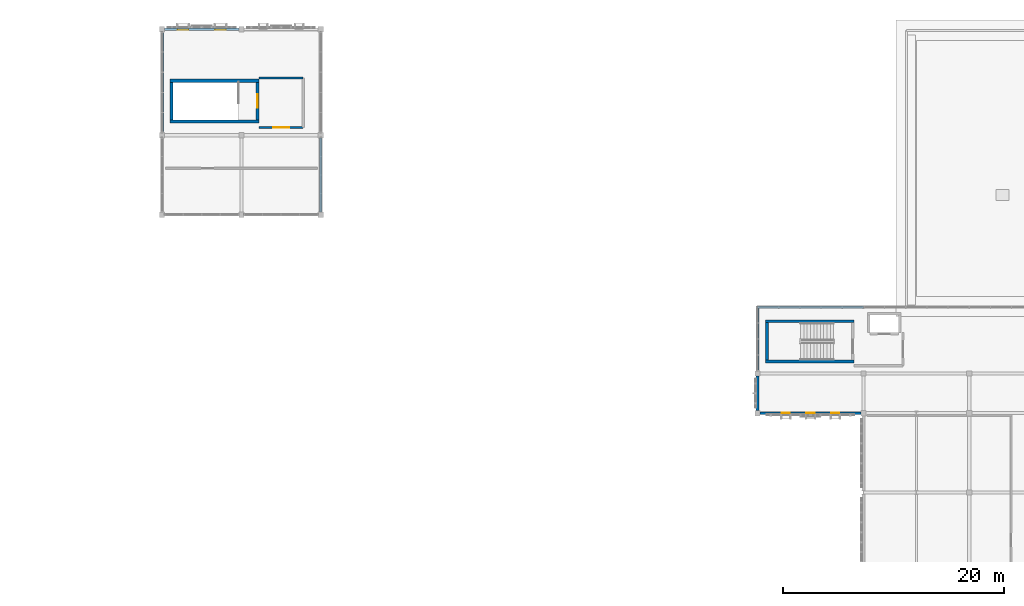
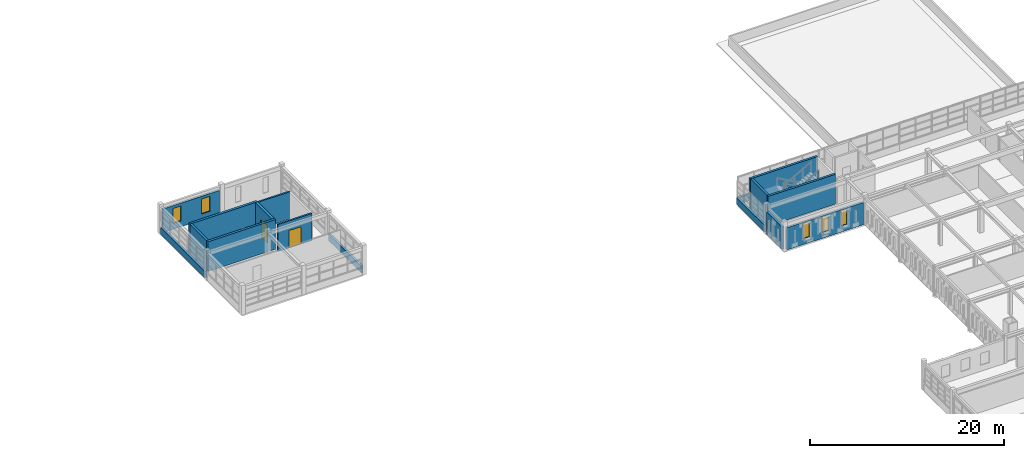
# One storey, part 28 of 53: 16 walls, 5 windows, 2 doors, 7 openings.
"""IFC4 building model written with IfcOpenShell, lengths in metres."""

from ifc_helpers import new_model, si_unit, direction, frame, frame_2d, origin, place, context, subcontext, project, spatial, rectangle, extrude, material, layer, layer_set, type_object, element, fill, save


model = new_model("IFC4")

# Units and contexts
model_context = context("Model", 3, precision=1e-05, world=origin(), true_north=direction((0.0, 1.0)))
body_context = subcontext(model_context, "Body", "Model", "MODEL_VIEW")
ifc_project = project(units=[si_unit("LENGTHUNIT", "METRE"), si_unit("AREAUNIT", "SQUARE_METRE"), si_unit("VOLUMEUNIT", "CUBIC_METRE"), si_unit("PLANEANGLEUNIT", "RADIAN"), si_unit("MASSUNIT", "GRAM", prefix="KILO")], contexts=[model_context])

# Site, building, storey
site_placement = place(None, origin())
site = spatial("IfcSite", under=ifc_project, at=site_placement, CompositionType="ELEMENT")
building_placement = place(site_placement, origin())
building = spatial("IfcBuilding", under=site, at=building_placement, Name="Nzembalo Square Collegiate School", CompositionType="ELEMENT")
storey_placement = place(building_placement, frame((0.0, 0.0, 13.60009765625)))
storey = spatial("IfcBuildingStorey", under=building, at=storey_placement, Name="L03", CompositionType="ELEMENT", Elevation=13.60009765625)

# Walls
ifc_material_1 = material(Name="Concrete C35/45", Category="concrete")
ifc_layer_1 = layer(ifc_material_1, 0.280029296875, Name="Concrete C35/45")
ifc_layer_set_1 = layer_set([ifc_layer_1], Name="Concrete C35/45")
wall_type_1 = type_object("IfcWallType", Name="SW03", PredefinedType="SHEAR", material=ifc_layer_set_1)
wall_1_placement = place(storey_placement, frame((77.659912109375, 105.800048828125, 0.0), z_axis=(0.0, 0.0, 1.0), x_axis=(0.0, 1.0, 0.0)))
element("IfcWall", 1, at=wall_1_placement, inside=storey, type_object=wall_type_1, Name="Core C3 stair shear wall W L03", PredefinedType="SHEAR", context=body_context, shape_type="SweptSolid", body=[
    extrude(rectangle(XDim=3.39990234375, YDim=0.280029296875, at=frame_2d((1.699951171875, 0.0))), origin(), (0.0, 0.0, 1.0), 3.739990234375),
])
for number, where, z_axis, x_axis, name in (
    (2, (77.52001953125, 105.659912109375, 0.0), (0.0, 0.0, 1.0), (1.0, 0.0, 0.0), "Core C3 stair shear wall S L03"),
    (3, (77.52001953125, 109.340087890625, 0.0), (0.0, 0.0, 1.0), (1.0, 0.0, 0.0), "Core C3 stair shear wall N L03"),
):
    element("IfcWall", number, at=place(storey_placement, frame(where, z_axis=z_axis, x_axis=x_axis)), inside=storey, type_object=wall_type_1, Name=name, PredefinedType="SHEAR", context=body_context, shape_type="SweptSolid", body=[
        extrude(rectangle(XDim=8.06005859375, YDim=0.280029296875, at=frame_2d((4.030029296875, 0.0))), origin(), (0.0, 0.0, 1.0), 3.739990234375),
    ])

# Wall, opening, door
wall_2_placement = place(storey_placement, frame((85.43994140625, 105.800048828125, 0.0), z_axis=(0.0, 0.0, 1.0), x_axis=(0.0, 1.0, 0.0)))
wall_2 = element("IfcWall", 4, at=wall_2_placement, inside=storey, type_object=wall_type_1, Name="Core C3 stair shear wall E L03", PredefinedType="SHEAR", context=body_context, shape_type="SweptSolid", body=[
    extrude(rectangle(XDim=3.39990234375, YDim=0.280029296875, at=frame_2d((1.699951171875, 0.0))), origin(), (0.0, 0.0, 1.0), 3.739990234375),
])
opening_1_placement = place(wall_2_placement, frame((1.10009765625, 0.0, 0.0)))
opening_1 = element("IfcOpeningElement", 5, at=opening_1_placement, cuts=wall_2, Name="Opening FD-029", PredefinedType="OPENING", context=body_context, shape_type="SweptSolid", body=[
    extrude(rectangle(XDim=1.199951171875, YDim=2.199951171875, at=frame_2d((0.60009765625, 1.10009765625))), frame((0.0, 0.14990234375, 0.0), z_axis=(0.0, -1.0, 0.0), x_axis=(1.0, 0.0, 0.0)), (0.0, 0.0, 1.0), 0.300048828125),
])
ifc_material_2 = material(Name="Fire-rated steel acoustic door", Category="steel")
door_type_1 = type_object("IfcDoorType", Name="FD01", OperationType="NOTDEFINED", PredefinedType="DOOR", material=ifc_material_2)
door_1_placement = place(opening_1_placement, origin())
door_1 = element("IfcDoor", 6, at=door_1_placement, inside=storey, type_object=door_type_1, Name="Stair fire door FD-029", OperationType="SINGLE_SWING_LEFT", OverallHeight=2.199951171875, OverallWidth=1.199951171875, PredefinedType="DOOR", context=body_context, shape_type="SweptSolid", body=[
    extrude(rectangle(XDim=1.199951171875, YDim=2.199951171875, at=frame_2d((0.60009765625, 1.10009765625))), frame((0.0, 0.02490234375, 0.0), z_axis=(0.0, -1.0, 0.0), x_axis=(1.0, 0.0, 0.0)), (0.0, 0.0, 1.0), 0.050048828125),
])
fill(opening_1, door_1)

# Walls
ifc_material_3 = material(Name="Concrete C35/45", Category="concrete")
ifc_layer_2 = layer(ifc_material_3, 0.260009765625, Name="Concrete C35/45")
ifc_layer_set_2 = layer_set([ifc_layer_2], Name="Concrete C35/45")
wall_type_2 = type_object("IfcWallType", Name="SW04", PredefinedType="SHEAR", material=ifc_layer_set_2)
wall_3_placement = place(storey_placement, frame((131.669921875, 84.0, 0.0), z_axis=(0.0, 0.0, 1.0), x_axis=(0.0, 1.0, 0.0)))
element("IfcWall", 7, at=wall_3_placement, inside=storey, type_object=wall_type_2, Name="Core C4 stair shear wall W L03", PredefinedType="SHEAR", context=body_context, shape_type="SweptSolid", body=[
    extrude(rectangle(XDim=3.39990234375, YDim=0.260009765625, at=frame_2d((1.699951171875, 0.0))), origin(), (0.0, 0.0, 1.0), 3.739990234375),
])
for number, where, z_axis, x_axis, name in (
    (8, (131.5400390625, 83.8701171875, 0.0), (0.0, 0.0, 1.0), (1.0, 0.0, 0.0), "Core C4 stair shear wall S L03"),
    (9, (131.5400390625, 87.530029296875, 0.0), (0.0, 0.0, 1.0), (1.0, 0.0, 0.0), "Core C4 stair shear wall N L03"),
):
    element("IfcWall", number, at=place(storey_placement, frame(where, z_axis=z_axis, x_axis=x_axis)), inside=storey, type_object=wall_type_2, Name=name, PredefinedType="SHEAR", context=body_context, shape_type="SweptSolid", body=[
        extrude(rectangle(XDim=8.02001953125, YDim=0.260009765625, at=frame_2d((4.010009765625, 0.0))), origin(), (0.0, 0.0, 1.0), 3.739990234375),
    ])
ifc_material_4 = material(Name="Concrete C30/37", Category="concrete")
ifc_layer_3 = layer(ifc_material_4, 0.264892578125, Name="Concrete C30/37")
ifc_layer_set_3 = layer_set([ifc_layer_3], Name="Concrete C30/37")
wall_type_3 = type_object("IfcWallType", Name="W06", PredefinedType="SOLIDWALL", material=ifc_layer_set_3)
wall_4_placement = place(storey_placement, frame((130.800048828125, 79.44189453125, 0.0), z_axis=(0.0, 0.0, 1.0), x_axis=(0.0, 1.0, 0.0)))
element("IfcWall", 10, at=wall_4_placement, inside=storey, type_object=wall_type_3, Name="Exterior wall W06 L03", PredefinedType="SOLIDWALL", context=body_context, shape_type="SweptSolid", body=[
    extrude(rectangle(XDim=3.1162109375, YDim=0.264892578125, at=frame_2d((1.55810546875, 0.0))), origin(), (0.0, 0.0, 1.0), 2.808837890625),
])
wall_5_placement = place(storey_placement, frame((130.800048828125, 88.800048828125, 0.0), z_axis=(0.0, 0.0, 1.0), x_axis=(1.0, 0.0, 0.0)))
element("IfcWall", 11, at=wall_5_placement, inside=storey, type_object=wall_type_3, Name="Spandrel wall W06 L03", PredefinedType="SOLIDWALL", context=body_context, shape_type="SweptSolid", body=[
    extrude(rectangle(XDim=9.599853515625, YDim=0.264892578125, at=frame_2d((4.7998046875, 0.0))), origin(), (0.0, 0.0, 1.0), 0.849853515625),
])
wall_6_placement = place(storey_placement, frame((76.800048828125, 104.64208984375, 0.0), z_axis=(0.0, 0.0, 1.0), x_axis=(0.0, 1.0, 0.0)))
element("IfcWall", 12, at=wall_6_placement, inside=storey, type_object=wall_type_3, Name="Spandrel wall W06 L03", PredefinedType="SOLIDWALL", context=body_context, shape_type="SweptSolid", body=[
    extrude(rectangle(XDim=9.115966796875, YDim=0.264892578125, at=frame_2d((4.55810546875, 0.0))), origin(), (0.0, 0.0, 1.0), 0.849853515625),
])

# Wall, openings, windows
ifc_material_5 = material(Name="CLT CL24", Category="wood")
ifc_layer_4 = layer(ifc_material_5, 0.2451171875, Name="CLT CL24")
ifc_layer_set_4 = layer_set([ifc_layer_4], Name="CLT CL24")
wall_type_4 = type_object("IfcWallType", Name="W07", PredefinedType="SOLIDWALL", material=ifc_layer_set_4)
wall_7_placement = place(storey_placement, frame((131.0419921875, 79.199951171875, 0.0), z_axis=(0.0, 0.0, 1.0), x_axis=(1.0, 0.0, 0.0)))
wall_7 = element("IfcWall", 13, at=wall_7_placement, inside=storey, type_object=wall_type_4, Name="Exterior wall W07 L03", PredefinedType="SOLIDWALL", context=body_context, shape_type="SweptSolid", body=[
    extrude(rectangle(XDim=9.115966796875, YDim=0.2451171875, at=frame_2d((4.55810546875, 0.0))), origin(), (0.0, 0.0, 1.0), 2.808837890625),
])
opening_2_placement = place(wall_7_placement, frame((1.9365234375, 0.0, 0.75)))
opening_2 = element("IfcOpeningElement", 14, at=opening_2_placement, cuts=wall_7, Name="Opening WN-L03-594", PredefinedType="OPENING", context=body_context, shape_type="SweptSolid", body=[
    extrude(rectangle(XDim=0.75, YDim=1.89990234375, at=frame_2d((0.375, 0.949951171875))), frame((0.0, 0.132568359375, 0.0), z_axis=(0.0, -1.0, 0.0), x_axis=(1.0, 0.0, 0.0)), (0.0, 0.0, 1.0), 0.26513671875),
])
opening_3_placement = place(wall_7_placement, frame((4.18310546875, 0.0, 0.75)))
opening_3 = element("IfcOpeningElement", 15, at=opening_3_placement, cuts=wall_7, Name="Opening WN-L03-595", PredefinedType="OPENING", context=body_context, shape_type="SweptSolid", body=[
    extrude(rectangle(XDim=0.75, YDim=1.89990234375, at=frame_2d((0.375, 0.949951171875))), frame((0.0, 0.132568359375, 0.0), z_axis=(0.0, -1.0, 0.0), x_axis=(1.0, 0.0, 0.0)), (0.0, 0.0, 1.0), 0.26513671875),
])
opening_4_placement = place(wall_7_placement, frame((6.429443359375, 0.0, 0.75)))
opening_4 = element("IfcOpeningElement", 16, at=opening_4_placement, cuts=wall_7, Name="Opening WN-L03-596", PredefinedType="OPENING", context=body_context, shape_type="SweptSolid", body=[
    extrude(rectangle(XDim=0.75, YDim=1.89990234375, at=frame_2d((0.375, 0.949951171875))), frame((0.0, 0.132568359375, 0.0), z_axis=(0.0, -1.0, 0.0), x_axis=(1.0, 0.0, 0.0)), (0.0, 0.0, 1.0), 0.26513671875),
])
ifc_material_6 = material(Name="Powder-coated aluminium and low-E double glazing", Category="aluminium")
window_type_1 = type_object("IfcWindowType", Name="WN03", PartitioningType="SINGLE_PANEL", PredefinedType="WINDOW", material=ifc_material_6)
window_1_placement = place(opening_2_placement, origin())
window_1 = element("IfcWindow", 17, at=window_1_placement, inside=storey, type_object=window_type_1, Name="Lancet window WN-L03-594", OverallHeight=1.89990234375, OverallWidth=0.75, PartitioningType="SINGLE_PANEL", PredefinedType="WINDOW", context=body_context, shape_type="SweptSolid", body=[
    extrude(rectangle(XDim=0.75, YDim=1.89990234375, at=frame_2d((0.375, 0.949951171875))), frame((0.0, 0.030029296875, 0.0), z_axis=(0.0, -1.0, 0.0), x_axis=(1.0, 0.0, 0.0)), (0.0, 0.0, 1.0), 0.06005859375),
])
fill(opening_2, window_1)
window_2_placement = place(opening_3_placement, origin())
window_2 = element("IfcWindow", 18, at=window_2_placement, inside=storey, type_object=window_type_1, Name="Lancet window WN-L03-595", OverallHeight=1.89990234375, OverallWidth=0.75, PartitioningType="SINGLE_PANEL", PredefinedType="WINDOW", context=body_context, shape_type="SweptSolid", body=[
    extrude(rectangle(XDim=0.75, YDim=1.89990234375, at=frame_2d((0.375, 0.949951171875))), frame((0.0, 0.030029296875, 0.0), z_axis=(0.0, -1.0, 0.0), x_axis=(1.0, 0.0, 0.0)), (0.0, 0.0, 1.0), 0.06005859375),
])
fill(opening_3, window_2)
window_3_placement = place(opening_4_placement, origin())
window_3 = element("IfcWindow", 19, at=window_3_placement, inside=storey, type_object=window_type_1, Name="Lancet window WN-L03-596", OverallHeight=1.89990234375, OverallWidth=0.75, PartitioningType="SINGLE_PANEL", PredefinedType="WINDOW", context=body_context, shape_type="SweptSolid", body=[
    extrude(rectangle(XDim=0.75, YDim=1.89990234375, at=frame_2d((0.375, 0.949951171875))), frame((0.0, 0.030029296875, 0.0), z_axis=(0.0, -1.0, 0.0), x_axis=(1.0, 0.0, 0.0)), (0.0, 0.0, 1.0), 0.06005859375),
])
fill(opening_4, window_3)

# Walls
wall_8_placement = place(storey_placement, frame((130.800048828125, 83.0419921875, 0.0), z_axis=(0.0, 0.0, 1.0), x_axis=(0.0, 1.0, 0.0)))
element("IfcWall", 20, at=wall_8_placement, inside=storey, type_object=wall_type_4, Name="Spandrel wall W07 L03", PredefinedType="SOLIDWALL", context=body_context, shape_type="SweptSolid", body=[
    extrude(rectangle(XDim=5.758056640625, YDim=0.2451171875, at=frame_2d((2.87890625, 0.0))), origin(), (0.0, 0.0, 1.0), 0.849853515625),
])
wall_9_placement = place(storey_placement, frame((91.199951171875, 97.44189453125, 0.0), z_axis=(0.0, 0.0, 1.0), x_axis=(0.0, 1.0, 0.0)))
element("IfcWall", 21, at=wall_9_placement, inside=storey, type_object=wall_type_4, Name="Spandrel wall W07 L03", PredefinedType="SOLIDWALL", context=body_context, shape_type="SweptSolid", body=[
    extrude(rectangle(XDim=6.716064453125, YDim=0.2451171875, at=frame_2d((3.35791015625, 0.0))), origin(), (0.0, 0.0, 1.0), 0.849853515625),
])

# Wall, openings, windows
wall_10_placement = place(storey_placement, frame((77.0419921875, 114.0, 0.0), z_axis=(0.0, 0.0, 1.0), x_axis=(1.0, 0.0, 0.0)))
wall_10 = element("IfcWall", 22, at=wall_10_placement, inside=storey, type_object=wall_type_4, Name="Exterior wall W07 L03", PredefinedType="SOLIDWALL", context=body_context, shape_type="SweptSolid", body=[
    extrude(rectangle(XDim=6.716064453125, YDim=0.2451171875, at=frame_2d((3.35791015625, 0.0))), origin(), (0.0, 0.0, 1.0), 2.968994140625),
])
opening_5_placement = place(wall_10_placement, frame((1.1640625, 0.0, 0.75)))
opening_5 = element("IfcOpeningElement", 23, at=opening_5_placement, cuts=wall_10, Name="Opening WN-L03-781", PredefinedType="OPENING", context=body_context, shape_type="SweptSolid", body=[
    extrude(rectangle(XDim=0.97998046875, YDim=1.8798828125, at=frame_2d((0.489990234375, 0.93994140625))), frame((0.0, 0.132568359375, 0.0), z_axis=(0.0, -1.0, 0.0), x_axis=(1.0, 0.0, 0.0)), (0.0, 0.0, 1.0), 0.26513671875),
])
opening_6_placement = place(wall_10_placement, frame((4.572021484375, 0.0, 0.75)))
opening_6 = element("IfcOpeningElement", 24, at=opening_6_placement, cuts=wall_10, Name="Opening WN-L03-782", PredefinedType="OPENING", context=body_context, shape_type="SweptSolid", body=[
    extrude(rectangle(XDim=0.97998046875, YDim=1.8798828125, at=frame_2d((0.489990234375, 0.93994140625))), frame((0.0, 0.132568359375, 0.0), z_axis=(0.0, -1.0, 0.0), x_axis=(1.0, 0.0, 0.0)), (0.0, 0.0, 1.0), 0.26513671875),
])
ifc_material_7 = material(Name="Powder-coated aluminium and low-E double glazing", Category="aluminium")
window_type_2 = type_object("IfcWindowType", Name="WN42", PartitioningType="SINGLE_PANEL", PredefinedType="WINDOW", material=ifc_material_7)
window_4_placement = place(opening_5_placement, origin())
window_4 = element("IfcWindow", 25, at=window_4_placement, inside=storey, type_object=window_type_2, Name="Lancet window WN-L03-781", OverallHeight=1.8798828125, OverallWidth=0.97998046875, PartitioningType="SINGLE_PANEL", PredefinedType="WINDOW", context=body_context, shape_type="SweptSolid", body=[
    extrude(rectangle(XDim=0.97998046875, YDim=1.8798828125, at=frame_2d((0.489990234375, 0.93994140625))), frame((0.0, 0.030029296875, 0.0), z_axis=(0.0, -1.0, 0.0), x_axis=(1.0, 0.0, 0.0)), (0.0, 0.0, 1.0), 0.06005859375),
])
fill(opening_5, window_4)
window_5_placement = place(opening_6_placement, origin())
window_5 = element("IfcWindow", 26, at=window_5_placement, inside=storey, type_object=window_type_2, Name="Lancet window WN-L03-782", OverallHeight=1.8798828125, OverallWidth=0.97998046875, PartitioningType="SINGLE_PANEL", PredefinedType="WINDOW", context=body_context, shape_type="SweptSolid", body=[
    extrude(rectangle(XDim=0.97998046875, YDim=1.8798828125, at=frame_2d((0.489990234375, 0.93994140625))), frame((0.0, 0.030029296875, 0.0), z_axis=(0.0, -1.0, 0.0), x_axis=(1.0, 0.0, 0.0)), (0.0, 0.0, 1.0), 0.06005859375),
])
fill(opening_6, window_5)

# Wall, opening, door
ifc_material_8 = material(Name="Concrete blockwork C25/30", Category="masonry")
ifc_layer_5 = layer(ifc_material_8, 0.199951171875, Name="Concrete blockwork C25/30")
ifc_layer_set_5 = layer_set([ifc_layer_5], Name="Concrete blockwork C25/30")
wall_type_5 = type_object("IfcWallType", Name="W11", PredefinedType="PARTITIONING", material=ifc_layer_set_5)
wall_11_placement = place(storey_placement, frame((85.580078125, 105.10009765625, 0.0), z_axis=(0.0, 0.0, 1.0), x_axis=(1.0, 0.0, 0.0)))
wall_11 = element("IfcWall", 27, at=wall_11_placement, inside=storey, type_object=wall_type_5, Name="Core C3 EI 60 lobby wall S L03", PredefinedType="PARTITIONING", context=body_context, shape_type="SweptSolid", body=[
    extrude(rectangle(XDim=4.02001953125, YDim=0.199951171875, at=frame_2d((2.010009765625, 0.0))), origin(), (0.0, 0.0, 1.0), 3.413818359375),
])
opening_7_placement = place(wall_11_placement, frame((1.284912109375, 0.0, 0.0)))
opening_7 = element("IfcOpeningElement", 28, at=opening_7_placement, cuts=wall_11, Name="Opening FD-030", PredefinedType="OPENING", context=body_context, shape_type="SweptSolid", body=[
    extrude(rectangle(XDim=1.449951171875, YDim=2.199951171875, at=frame_2d((0.72509765625, 1.10009765625))), frame((0.0, 0.10986328125, 0.0), z_axis=(0.0, -1.0, 0.0), x_axis=(1.0, 0.0, 0.0)), (0.0, 0.0, 1.0), 0.219970703125),
])
ifc_material_9 = material(Name="Fire-rated double lobby door")
door_type_2 = type_object("IfcDoorType", Name="FD02", OperationType="DOUBLE_DOOR_SINGLE_SWING", PredefinedType="DOOR", material=ifc_material_9)
door_2_placement = place(opening_7_placement, frame((1.449951171875, 0.0, 0.0), z_axis=(0.0, 0.0, 1.0), x_axis=(-1.0, 0.0, 0.0)))
door_2 = element("IfcDoor", 29, at=door_2_placement, inside=storey, type_object=door_type_2, Name="Protected lobby fire door FD-030", OperationType="DOUBLE_DOOR_SINGLE_SWING", OverallHeight=2.199951171875, OverallWidth=1.449951171875, PredefinedType="DOOR", context=body_context, shape_type="SweptSolid", body=[
    extrude(rectangle(XDim=1.449951171875, YDim=2.199951171875, at=frame_2d((0.72509765625, 1.10009765625))), frame((0.0, 0.02490234375, 0.0), z_axis=(0.0, -1.0, 0.0), x_axis=(1.0, 0.0, 0.0)), (0.0, 0.0, 1.0), 0.050048828125),
])
fill(opening_7, door_2)

# Wall
wall_12_placement = place(storey_placement, frame((85.580078125, 109.60009765625, 0.0), z_axis=(0.0, 0.0, 1.0), x_axis=(1.0, 0.0, 0.0)))
element("IfcWall", 30, at=wall_12_placement, inside=storey, type_object=wall_type_5, Name="Core C3 EI 60 lobby wall N L03", PredefinedType="PARTITIONING", context=body_context, shape_type="SweptSolid", body=[
    extrude(rectangle(XDim=4.02001953125, YDim=0.199951171875, at=frame_2d((2.010009765625, 0.0))), origin(), (0.0, 0.0, 1.0), 3.413818359375),
])

save(model, "model.ifc")
